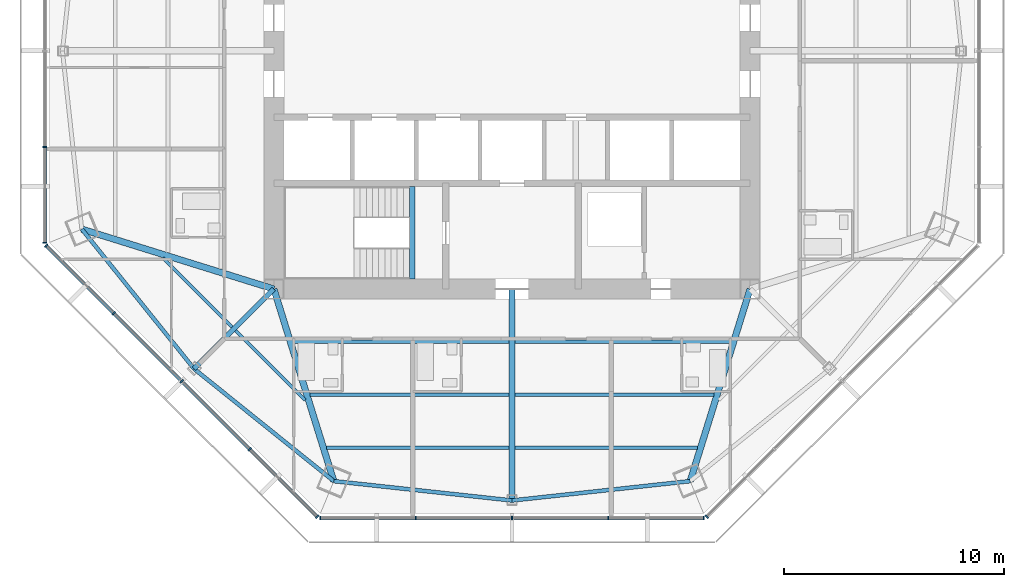
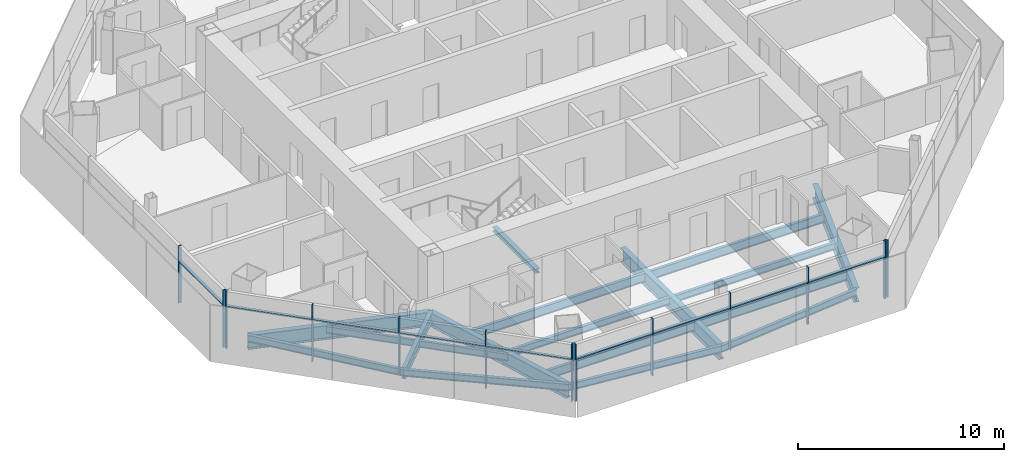
# One storey, part 2 of 14: 22 members, 18 beams, 4 elements without a shape of their own.
"""IFC4 building model written with IfcOpenShell, lengths in metres."""

from ifc_helpers import new_model, si_unit, direction, frame, origin, origin_2d, place, context, subcontext, project, spatial, rectangle, i_section, extrude, source, transform, mapped, material, material_profile, profile_set, type_object, type_shapes, element, aggregate, save


model = new_model("IFC4")

# Units and contexts
model_context = context("Model", 3, precision=1e-05, world=origin(), true_north=direction((0.0, 1.0)))
body_context = subcontext(model_context, "Body", "Model", "MODEL_VIEW")
ifc_project = project(units=[si_unit("LENGTHUNIT", "METRE"), si_unit("AREAUNIT", "SQUARE_METRE"), si_unit("VOLUMEUNIT", "CUBIC_METRE"), si_unit("PLANEANGLEUNIT", "RADIAN"), si_unit("MASSUNIT", "GRAM", prefix="KILO")], contexts=[model_context])

# Site, building, storey
site_placement = place(None, origin())
site = spatial("IfcSite", under=ifc_project, at=site_placement, CompositionType="ELEMENT")
building_placement = place(site_placement, origin())
building = spatial("IfcBuilding", under=site, at=building_placement, Name="Mashrafa Tower", CompositionType="ELEMENT")
storey_placement = place(building_placement, frame((0.0, 0.0, 241.39990234375)))
storey = spatial("IfcBuildingStorey", under=building, at=storey_placement, Name="L57", CompositionType="ELEMENT", Elevation=241.39990234375)

# Beams
ifc_material_1 = material(Name="Steel ASTM A992", Category="steel")
ifc_material_profile_1 = material_profile(ifc_material_1, i_section(OverallWidth=0.140380859375, OverallDepth=0.40380859375, WebThickness=0.007080078125, FlangeThickness=0.01123046875, FilletRadius=0.01025390625, at=origin_2d()), Name="W16X31")
ifc_profile_set_1 = profile_set([ifc_material_profile_1], Name="Steel ASTM A992")
beam_type_1 = type_object("IfcBeamType", Name="Beam W16X31", PredefinedType="BEAM", material=ifc_profile_set_1)
for number, where, z_axis, x_axis, name in (
    (1, (-12.690185546875, -12.52880859375, -0.40185546875), (-0.707106781187, 0.707106781187, 0.0), (-0.707106781187, -0.707106781187, 0.0), "Floor beam L57 008"),
    (2, (-9.382080078125, -15.8369140625, -0.40185546875), (-0.707106781187, 0.707106781187, 0.0), (-0.707106781187, -0.707106781187, 0.0), "Floor beam L57 012"),
):
    element("IfcBeam", number, at=place(storey_placement, frame(where, z_axis=z_axis, x_axis=x_axis)), inside=storey, type_object=beam_type_1, Name=name, PredefinedType="BEAM", context=body_context, shape_type="SweptSolid", body=[
        extrude(i_section(OverallWidth=0.140380859375, OverallDepth=0.40380859375, WebThickness=0.007080078125, FlangeThickness=0.01123046875, FilletRadius=0.01025390625, at=origin_2d()), origin(), (0.0, 0.0, 1.0), 4.4501953125),
    ])
ifc_material_2 = material(Name="Steel ASTM A992", Category="steel")
ifc_material_profile_2 = material_profile(ifc_material_2, i_section(OverallWidth=0.177734375, OverallDepth=0.406494140625, WebThickness=0.0078125, FlangeThickness=0.012939453125, FilletRadius=0.01025390625, at=origin_2d()), Name="W16X40")
ifc_profile_set_2 = profile_set([ifc_material_profile_2], Name="Steel ASTM A992")
beam_type_2 = type_object("IfcBeamType", Name="Beam W16X40", PredefinedType="BEAM", material=ifc_profile_set_2)
for number, where, z_axis, x_axis, name in (
    (3, (-0.14599609375, -15.595703125, -0.403076171875), (-1.0, 0.0, 0.0), (0.0, -1.0, 0.0), "Floor beam L57 015"),
    (4, (9.1513671875, -15.595703125, -0.403076171875), (-1.0, 0.0, 0.0), (0.0, -1.0, 0.0), "Floor beam L57 022"),
):
    element("IfcBeam", number, at=place(storey_placement, frame(where, z_axis=z_axis, x_axis=x_axis)), inside=storey, type_object=beam_type_2, Name=name, PredefinedType="BEAM", context=body_context, shape_type="SweptSolid", body=[
        extrude(i_section(OverallWidth=0.177734375, OverallDepth=0.406494140625, WebThickness=0.0078125, FlangeThickness=0.012939453125, FilletRadius=0.01025390625, at=origin_2d()), origin(), (0.0, 0.0, 1.0), 9.00537109375),
    ])
for number, where, z_axis, x_axis, name in (
    (5, (-19.51318359375, -8.082763671875, -0.403076171875), (0.626590173444, -0.779348929905, 0.0), (0.779348929905, 0.626590173444, 0.0), "Spandrel beam L57 050"),
    (6, (-14.4189453125, -14.4189453125, -0.403076171875), (0.779348929905, -0.626590173444, 0.0), (0.626590173444, 0.779348929905, 0.0), "Spandrel beam L57 052"),
):
    element("IfcBeam", number, at=place(storey_placement, frame(where, z_axis=z_axis, x_axis=x_axis)), inside=storey, type_object=beam_type_2, Name=name, PredefinedType="BEAM", context=body_context, shape_type="SweptSolid", body=[
        extrude(i_section(OverallWidth=0.177734375, OverallDepth=0.406494140625, WebThickness=0.0078125, FlangeThickness=0.012939453125, FilletRadius=0.01025390625, at=origin_2d()), origin(), (0.0, 0.0, 1.0), 8.130126953125),
    ])
for number, where, z_axis, x_axis, name in (
    (7, (-8.082763671875, -19.51318359375, -0.403076171875), (0.99414635634, -0.108041761262, 0.0), (0.108041761262, 0.99414635634, 0.0), "Spandrel beam L57 054"),
    (8, (0.0, -20.3916015625, -0.403076171875), (0.99414635634, 0.108041761262, 0.0), (-0.108041761262, 0.99414635634, 0.0), "Spandrel beam L57 056"),
):
    element("IfcBeam", number, at=place(storey_placement, frame(where, z_axis=z_axis, x_axis=x_axis)), inside=storey, type_object=beam_type_2, Name=name, PredefinedType="BEAM", context=body_context, shape_type="SweptSolid", body=[
        extrude(i_section(OverallWidth=0.177734375, OverallDepth=0.406494140625, WebThickness=0.0078125, FlangeThickness=0.012939453125, FilletRadius=0.01025390625, at=origin_2d()), origin(), (0.0, 0.0, 1.0), 8.13037109375),
    ])
ifc_material_3 = material(Name="Steel ASTM A992", Category="steel")
ifc_material_profile_3 = material_profile(ifc_material_3, i_section(OverallWidth=0.165771484375, OverallDepth=0.5283203125, WebThickness=0.009765625, FlangeThickness=0.013671875, FilletRadius=0.012939453125, at=origin_2d()), Name="W21X50")
ifc_profile_set_3 = profile_set([ifc_material_profile_3], Name="Steel ASTM A992")
beam_type_3 = type_object("IfcBeamType", Name="Beam W21X50", PredefinedType="BEAM", material=ifc_profile_set_3)
beam_1_placement = place(storey_placement, frame((-0.14599609375, -17.99365234375, -0.464111328125), z_axis=(-1.0, 0.0, 0.0), x_axis=(0.0, -1.0, 0.0)))
element("IfcBeam", 9, at=beam_1_placement, inside=storey, type_object=beam_type_3, Name="Floor beam L57 014", PredefinedType="BEAM", context=body_context, shape_type="SweptSolid", body=[
    extrude(i_section(OverallWidth=0.165771484375, OverallDepth=0.5283203125, WebThickness=0.009765625, FlangeThickness=0.013671875, FilletRadius=0.012939453125, at=origin_2d()), origin(), (0.0, 0.0, 1.0), 8.257568359375),
])
beam_2_placement = place(storey_placement, frame((-0.14599609375, -13.197998046875, -0.464111328125), z_axis=(-1.0, 0.0, 0.0), x_axis=(0.0, -1.0, 0.0)))
element("IfcBeam", 10, at=beam_2_placement, inside=storey, type_object=beam_type_3, Name="Floor beam L57 016", PredefinedType="BEAM", context=body_context, shape_type="SweptSolid", body=[
    extrude(i_section(OverallWidth=0.165771484375, OverallDepth=0.5283203125, WebThickness=0.009765625, FlangeThickness=0.013671875, FilletRadius=0.012939453125, at=origin_2d()), origin(), (0.0, 0.0, 1.0), 9.753173828125),
])
beam_3_placement = place(storey_placement, frame((8.403564453125, -17.99365234375, -0.464111328125), z_axis=(-1.0, 0.0, 0.0), x_axis=(0.0, -1.0, 0.0)))
element("IfcBeam", 11, at=beam_3_placement, inside=storey, type_object=beam_type_3, Name="Floor beam L57 020", PredefinedType="BEAM", context=body_context, shape_type="SweptSolid", body=[
    extrude(i_section(OverallWidth=0.165771484375, OverallDepth=0.5283203125, WebThickness=0.009765625, FlangeThickness=0.013671875, FilletRadius=0.012939453125, at=origin_2d()), origin(), (0.0, 0.0, 1.0), 8.257568359375),
])
beam_4_placement = place(storey_placement, frame((9.899169921875, -13.197998046875, -0.464111328125), z_axis=(-1.0, 0.0, 0.0), x_axis=(0.0, -1.0, 0.0)))
element("IfcBeam", 12, at=beam_4_placement, inside=storey, type_object=beam_type_3, Name="Floor beam L57 023", PredefinedType="BEAM", context=body_context, shape_type="SweptSolid", body=[
    extrude(i_section(OverallWidth=0.165771484375, OverallDepth=0.5283203125, WebThickness=0.009765625, FlangeThickness=0.013671875, FilletRadius=0.012939453125, at=origin_2d()), origin(), (0.0, 0.0, 1.0), 9.753173828125),
])
ifc_material_4 = material(Name="Steel ASTM A992", Category="steel")
ifc_material_profile_4 = material_profile(ifc_material_4, i_section(OverallWidth=0.227783203125, OverallDepth=0.60205078125, WebThickness=0.010498046875, FlangeThickness=0.014892578125, FilletRadius=0.012939453125, at=origin_2d()), Name="W24X68")
ifc_profile_set_4 = profile_set([ifc_material_profile_4], Name="Steel ASTM A992")
beam_type_4 = type_object("IfcBeamType", Name="Beam W24X68", PredefinedType="BEAM", material=ifc_profile_set_4)
beam_5_placement = place(storey_placement, frame((-10.800048828125, -10.800048828125, -0.5009765625), z_axis=(-0.707106781187, -0.707106781187, 0.0), x_axis=(0.707106781187, -0.707106781187, 0.0)))
element("IfcBeam", 13, at=beam_5_placement, inside=storey, type_object=beam_type_4, Name="Radial girder L57 034", PredefinedType="BEAM", context=body_context, shape_type="SweptSolid", body=[
    extrude(i_section(OverallWidth=0.227783203125, OverallDepth=0.60205078125, WebThickness=0.010498046875, FlangeThickness=0.014892578125, FilletRadius=0.012939453125, at=origin_2d()), origin(), (0.0, 0.0, 1.0), 5.117919921875),
])
ifc_material_5 = material(Name="Steel ASTM A992", Category="steel")
ifc_material_profile_5 = material_profile(ifc_material_5, i_section(OverallWidth=0.2919921875, OverallDepth=0.8408203125, WebThickness=0.0146484375, FlangeThickness=0.021728515625, FilletRadius=0.017333984375, at=origin_2d()), Name="W33X130")
ifc_profile_set_5 = profile_set([ifc_material_profile_5], Name="Steel ASTM A992")
beam_type_5 = type_object("IfcBeamType", Name="Beam W33X130", PredefinedType="BEAM", material=ifc_profile_set_5)
for number, where, z_axis, x_axis, name in (
    (14, (-10.800048828125, -10.800048828125, -0.620361328125), (-0.954653543393, 0.297719015326, 0.0), (-0.297719015326, -0.954653543393, 0.0), "Radial girder L57 033"),
    (15, (-10.800048828125, -10.800048828125, -0.620361328125), (0.297719015326, -0.954653543393, 0.0), (0.954653543393, 0.297719015326, 0.0), "Radial girder L57 035"),
    (16, (10.800048828125, -10.800048828125, -0.620361328125), (-0.297719015326, -0.954653543393, 0.0), (0.954653543393, -0.297719015326, 0.0), "Radial girder L57 042"),
):
    element("IfcBeam", number, at=place(storey_placement, frame(where, z_axis=z_axis, x_axis=x_axis)), inside=storey, type_object=beam_type_5, Name=name, PredefinedType="BEAM", context=body_context, shape_type="SweptSolid", body=[
        extrude(i_section(OverallWidth=0.2919921875, OverallDepth=0.8408203125, WebThickness=0.0146484375, FlangeThickness=0.021728515625, FilletRadius=0.017333984375, at=origin_2d()), origin(), (0.0, 0.0, 1.0), 9.126953125),
    ])
ifc_material_6 = material(Name="Steel ASTM A992", Category="steel")
ifc_material_profile_6 = material_profile(ifc_material_6, i_section(OverallWidth=0.2919921875, OverallDepth=0.8583984375, WebThickness=0.01708984375, FlangeThickness=0.031005859375, FilletRadius=0.017822265625, at=origin_2d()), Name="W33X169")
ifc_profile_set_6 = profile_set([ifc_material_profile_6], Name="Steel ASTM A992")
beam_type_6 = type_object("IfcBeamType", Name="Beam W33X169", PredefinedType="BEAM", material=ifc_profile_set_6)
beam_6_placement = place(storey_placement, frame((0.0, -10.800048828125, -0.629150390625), z_axis=(0.0, -1.0, 0.0), x_axis=(1.0, 0.0, 0.0)))
element("IfcBeam", 17, at=beam_6_placement, inside=storey, type_object=beam_type_6, Name="Radial girder L57 040", PredefinedType="BEAM", context=body_context, shape_type="SweptSolid", body=[
    extrude(i_section(OverallWidth=0.2919921875, OverallDepth=0.8583984375, WebThickness=0.01708984375, FlangeThickness=0.031005859375, FilletRadius=0.017822265625, at=origin_2d()), origin(), (0.0, 0.0, 1.0), 9.591552734375),
])
ifc_material_7 = material(Name="Steel ASTM A992", Category="steel")
ifc_material_profile_7 = material_profile(ifc_material_7, i_section(OverallWidth=0.25390625, OverallDepth=0.25390625, WebThickness=0.008544921875, FlangeThickness=0.01416015625, FilletRadius=0.010009765625, at=origin_2d()), Name="W10X49")
ifc_profile_set_7 = profile_set([ifc_material_profile_7], Name="Steel ASTM A992")
beam_type_7 = type_object("IfcBeamType", Name="Hoistway beam W10X49", PredefinedType="BEAM", material=ifc_profile_set_7)
beam_7_placement = place(storey_placement, frame((-4.530029296875, -10.35009765625, -0.326904296875), z_axis=(0.0, 1.0, 0.0), x_axis=(-1.0, 0.0, 0.0)))
element("IfcBeam", 18, at=beam_7_placement, inside=storey, type_object=beam_type_7, Name="Stair S3 landing beam L57", PredefinedType="BEAM", context=body_context, shape_type="SweptSolid", body=[
    extrude(i_section(OverallWidth=0.25390625, OverallDepth=0.25390625, WebThickness=0.008544921875, FlangeThickness=0.01416015625, FilletRadius=0.010009765625, at=origin_2d()), origin(), (0.0, 0.0, 1.0), 4.2001953125),
])

# Curtain wall, members
ifc_material_8 = material(Name="Unitised aluminium curtain wall", Category="aluminium")
curtain_wall_type = type_object("IfcCurtainWallType", Name="Apartment curtain wall, zone 3 CW-C 180 deep", PredefinedType="NOTDEFINED", material=ifc_material_8)
curtain_wall_1_placement = place(storey_placement, origin())
curtain_wall_1 = element("IfcCurtainWall", 19, at=curtain_wall_1_placement, inside=storey, type_object=curtain_wall_type, Name="Apartment curtain wall, zone 3 L57 west", PredefinedType="NOTDEFINED")
ifc_material_9 = material(Name="Extruded aluminium mullion", Category="aluminium")
ifc_material_profile_8 = material_profile(ifc_material_9, rectangle(XDim=0.179931640625, YDim=0.06005859375, at=origin_2d()), Name="Mullion 60x180")
ifc_profile_set_8 = profile_set([ifc_material_profile_8], Name="Extruded aluminium mullion")
member_type_1 = type_object("IfcMemberType", Name="Mullion CW-C 60 x 180", PredefinedType="MULLION", material=ifc_profile_set_8)
shared_shape_1 = source(origin(), body_context, "Body", "SweptSolid", [
    extrude(rectangle(XDim=0.179931640625, YDim=0.06005859375, at=origin_2d()), origin(), (0.0, 0.0, 1.0), 3.400146484375),
])
type_shapes(member_type_1, [shared_shape_1])
member_1_placement = place(storey_placement, frame((-21.185791015625, -4.364013671875, 0.0), z_axis=(0.0, 0.0, 1.0), x_axis=(1.0, 0.0, 0.0)))
member_1 = element("IfcMember", 20, at=member_1_placement, type_object=member_type_1, Name="CW-C mullion 4", PredefinedType="MULLION", context=body_context, shape_type="MappedRepresentation", body=[
    mapped(shared_shape_1, transform((0.0, 0.0, 0.0))),
])
member_2_placement = place(storey_placement, frame((-21.185791015625, -8.6982421875, 0.0), z_axis=(0.0, 0.0, 1.0), x_axis=(1.0, 0.0, 0.0)))
member_2 = element("IfcMember", 21, at=member_2_placement, type_object=member_type_1, Name="CW-C mullion 5", PredefinedType="MULLION", context=body_context, shape_type="MappedRepresentation", body=[
    mapped(shared_shape_1, transform((0.0, 0.0, 0.0))),
])

curtain_wall_2_placement = place(storey_placement, origin())
curtain_wall_2 = element("IfcCurtainWall", 22, at=curtain_wall_2_placement, inside=storey, type_object=curtain_wall_type, Name="Apartment curtain wall, zone 3 L57 south-west", PredefinedType="NOTDEFINED")
member_3_placement = place(storey_placement, frame((-21.131103515625, -8.830078125, 0.0), z_axis=(0.0, 0.0, 1.0), x_axis=(0.707106781187, 0.707106781187, 0.0)))
member_3 = element("IfcMember", 23, at=member_3_placement, type_object=member_type_1, Name="CW-C mullion 1", PredefinedType="MULLION", context=body_context, shape_type="MappedRepresentation", body=[
    mapped(shared_shape_1, transform((0.0, 0.0, 0.0))),
])
member_4_placement = place(storey_placement, frame((-18.066650390625, -11.894775390625, 0.0), z_axis=(0.0, 0.0, 1.0), x_axis=(0.707106781187, 0.707106781187, 0.0)))
member_4 = element("IfcMember", 24, at=member_4_placement, type_object=member_type_1, Name="CW-C mullion 2", PredefinedType="MULLION", context=body_context, shape_type="MappedRepresentation", body=[
    mapped(shared_shape_1, transform((0.0, 0.0, 0.0))),
])
member_5_placement = place(storey_placement, frame((-14.980712890625, -14.980712890625, 0.0), z_axis=(0.0, 0.0, 1.0), x_axis=(0.707106781187, 0.707106781187, 0.0)))
member_5 = element("IfcMember", 25, at=member_5_placement, type_object=member_type_1, Name="CW-C mullion 3", PredefinedType="MULLION", context=body_context, shape_type="MappedRepresentation", body=[
    mapped(shared_shape_1, transform((0.0, 0.0, 0.0))),
])
member_6_placement = place(storey_placement, frame((-11.894775390625, -18.066650390625, 0.0), z_axis=(0.0, 0.0, 1.0), x_axis=(0.707106781187, 0.707106781187, 0.0)))
member_6 = element("IfcMember", 26, at=member_6_placement, type_object=member_type_1, Name="CW-C mullion 4", PredefinedType="MULLION", context=body_context, shape_type="MappedRepresentation", body=[
    mapped(shared_shape_1, transform((0.0, 0.0, 0.0))),
])
member_7_placement = place(storey_placement, frame((-8.830078125, -21.131103515625, 0.0), z_axis=(0.0, 0.0, 1.0), x_axis=(0.707106781187, 0.707106781187, 0.0)))
member_7 = element("IfcMember", 27, at=member_7_placement, type_object=member_type_1, Name="CW-C mullion 5", PredefinedType="MULLION", context=body_context, shape_type="MappedRepresentation", body=[
    mapped(shared_shape_1, transform((0.0, 0.0, 0.0))),
])

curtain_wall_3_placement = place(storey_placement, origin())
curtain_wall_3 = element("IfcCurtainWall", 28, at=curtain_wall_3_placement, inside=storey, type_object=curtain_wall_type, Name="Apartment curtain wall, zone 3 L57 south", PredefinedType="NOTDEFINED")
member_8_placement = place(storey_placement, frame((-8.6982421875, -21.185791015625, 0.0), z_axis=(0.0, 0.0, 1.0), x_axis=(0.0, 1.0, 0.0)))
member_8 = element("IfcMember", 29, at=member_8_placement, type_object=member_type_1, Name="CW-C mullion 1", PredefinedType="MULLION", context=body_context, shape_type="MappedRepresentation", body=[
    mapped(shared_shape_1, transform((0.0, 0.0, 0.0))),
])
member_9_placement = place(storey_placement, frame((-4.364013671875, -21.185791015625, 0.0), z_axis=(0.0, 0.0, 1.0), x_axis=(0.0, 1.0, 0.0)))
member_9 = element("IfcMember", 30, at=member_9_placement, type_object=member_type_1, Name="CW-C mullion 2", PredefinedType="MULLION", context=body_context, shape_type="MappedRepresentation", body=[
    mapped(shared_shape_1, transform((0.0, 0.0, 0.0))),
])
member_10_placement = place(storey_placement, frame((0.0, -21.185791015625, 0.0), z_axis=(0.0, 0.0, 1.0), x_axis=(0.0, 1.0, 0.0)))
member_10 = element("IfcMember", 31, at=member_10_placement, type_object=member_type_1, Name="CW-C mullion 3", PredefinedType="MULLION", context=body_context, shape_type="MappedRepresentation", body=[
    mapped(shared_shape_1, transform((0.0, 0.0, 0.0))),
])
member_11_placement = place(storey_placement, frame((4.364013671875, -21.185791015625, 0.0), z_axis=(0.0, 0.0, 1.0), x_axis=(0.0, 1.0, 0.0)))
member_11 = element("IfcMember", 32, at=member_11_placement, type_object=member_type_1, Name="CW-C mullion 4", PredefinedType="MULLION", context=body_context, shape_type="MappedRepresentation", body=[
    mapped(shared_shape_1, transform((0.0, 0.0, 0.0))),
])
member_12_placement = place(storey_placement, frame((8.6982421875, -21.185791015625, 0.0), z_axis=(0.0, 0.0, 1.0), x_axis=(0.0, 1.0, 0.0)))
member_12 = element("IfcMember", 33, at=member_12_placement, type_object=member_type_1, Name="CW-C mullion 5", PredefinedType="MULLION", context=body_context, shape_type="MappedRepresentation", body=[
    mapped(shared_shape_1, transform((0.0, 0.0, 0.0))),
])

# Curtain wall, member
curtain_wall_4_placement = place(storey_placement, origin())
curtain_wall_4 = element("IfcCurtainWall", 34, at=curtain_wall_4_placement, inside=storey, type_object=curtain_wall_type, Name="Apartment curtain wall, zone 3 L57 south-east", PredefinedType="NOTDEFINED")
member_13_placement = place(storey_placement, frame((8.830078125, -21.131103515625, 0.0), z_axis=(0.0, 0.0, 1.0), x_axis=(-0.707106781187, 0.707106781187, 0.0)))
member_13 = element("IfcMember", 35, at=member_13_placement, type_object=member_type_1, Name="CW-C mullion 1", PredefinedType="MULLION", context=body_context, shape_type="MappedRepresentation", body=[
    mapped(shared_shape_1, transform((0.0, 0.0, 0.0))),
])
aggregate(curtain_wall_4, [member_13])

# Member
ifc_material_10 = material(Name="Extruded aluminium transom", Category="aluminium")
ifc_material_profile_9 = material_profile(ifc_material_10, rectangle(XDim=0.14404296875, YDim=0.074951171875, at=origin_2d()), Name="Transom 75x144")
ifc_profile_set_9 = profile_set([ifc_material_profile_9], Name="Extruded aluminium transom")
member_type_2 = type_object("IfcMemberType", Name="Transom CW-C 75 x 144", PredefinedType="MULLION", material=ifc_profile_set_9)
shared_shape_2 = source(origin(), body_context, "Body", "SweptSolid", [
    extrude(rectangle(XDim=0.14404296875, YDim=0.074951171875, at=origin_2d()), origin(), (0.0, 0.0, 1.0), 4.274169921875),
])
member_14_placement = place(storey_placement, frame((-21.185791015625, -4.39404296875, 2.5), z_axis=(0.0, -1.0, 0.0), x_axis=(1.0, 0.0, 0.0)))
member_14 = element("IfcMember", 36, at=member_14_placement, type_object=member_type_2, Name="CW-C transom 4", PredefinedType="MULLION", context=body_context, shape_type="MappedRepresentation", body=[
    mapped(shared_shape_2, transform((0.0, 0.0, 0.0))),
])

aggregate(curtain_wall_1, [member_1, member_2, member_14])

member_15_placement = place(storey_placement, frame((-21.110107421875, -8.851318359375, 2.5), z_axis=(0.707135340195, -0.707078221024, 0.0), x_axis=(0.707078221024, 0.707135340195, 0.0)))
member_15 = element("IfcMember", 37, at=member_15_placement, type_object=member_type_2, Name="CW-C transom 1", PredefinedType="MULLION", context=body_context, shape_type="MappedRepresentation", body=[
    mapped(shared_shape_2, transform((0.0, 0.0, 0.0))),
])

member_16_placement = place(storey_placement, frame((-11.87353515625, -18.087646484375, 2.5), z_axis=(0.707078221024, -0.707135340195, 0.0), x_axis=(0.707135340195, 0.707078221024, 0.0)))
member_16 = element("IfcMember", 38, at=member_16_placement, type_object=member_type_2, Name="CW-C transom 4", PredefinedType="MULLION", context=body_context, shape_type="MappedRepresentation", body=[
    mapped(shared_shape_2, transform((0.0, 0.0, 0.0))),
])

member_17_placement = place(storey_placement, frame((-8.668212890625, -21.185791015625, 2.5), z_axis=(1.0, 0.0, 0.0), x_axis=(0.0, 1.0, 0.0)))
member_17 = element("IfcMember", 39, at=member_17_placement, type_object=member_type_2, Name="CW-C transom 1", PredefinedType="MULLION", context=body_context, shape_type="MappedRepresentation", body=[
    mapped(shared_shape_2, transform((0.0, 0.0, 0.0))),
])

member_18_placement = place(storey_placement, frame((4.39404296875, -21.185791015625, 2.5), z_axis=(1.0, 0.0, 0.0), x_axis=(0.0, 1.0, 0.0)))
member_18 = element("IfcMember", 40, at=member_18_placement, type_object=member_type_2, Name="CW-C transom 4", PredefinedType="MULLION", context=body_context, shape_type="MappedRepresentation", body=[
    mapped(shared_shape_2, transform((0.0, 0.0, 0.0))),
])

shared_shape_3 = source(origin(), body_context, "Body", "SweptSolid", [
    extrude(rectangle(XDim=0.14404296875, YDim=0.074951171875, at=origin_2d()), origin(), (0.0, 0.0, 1.0), 4.303955078125),
])
member_19_placement = place(storey_placement, frame((-4.333984375, -21.185791015625, 2.5), z_axis=(1.0, 0.0, 0.0), x_axis=(0.0, 1.0, 0.0)))
member_19 = element("IfcMember", 41, at=member_19_placement, type_object=member_type_2, Name="CW-C transom 2", PredefinedType="MULLION", context=body_context, shape_type="MappedRepresentation", body=[
    mapped(shared_shape_3, transform((0.0, 0.0, 0.0))),
])

member_20_placement = place(storey_placement, frame((0.030029296875, -21.185791015625, 2.5), z_axis=(1.0, 0.0, 0.0), x_axis=(0.0, 1.0, 0.0)))
member_20 = element("IfcMember", 42, at=member_20_placement, type_object=member_type_2, Name="CW-C transom 3", PredefinedType="MULLION", context=body_context, shape_type="MappedRepresentation", body=[
    mapped(shared_shape_3, transform((0.0, 0.0, 0.0))),
])

aggregate(curtain_wall_3, [member_8, member_9, member_10, member_11, member_12, member_17, member_19, member_20, member_18])

shared_shape_4 = source(origin(), body_context, "Body", "SweptSolid", [
    extrude(rectangle(XDim=0.14404296875, YDim=0.074951171875, at=origin_2d()), origin(), (0.0, 0.0, 1.0), 4.30419921875),
])
type_shapes(member_type_2, [shared_shape_2, shared_shape_3, shared_shape_4])
member_21_placement = place(storey_placement, frame((-18.04541015625, -11.916015625, 2.5), z_axis=(0.707106781187, -0.707106781187, 0.0), x_axis=(0.707106781187, 0.707106781187, 0.0)))
member_21 = element("IfcMember", 43, at=member_21_placement, type_object=member_type_2, Name="CW-C transom 2", PredefinedType="MULLION", context=body_context, shape_type="MappedRepresentation", body=[
    mapped(shared_shape_4, transform((0.0, 0.0, 0.0))),
])

member_22_placement = place(storey_placement, frame((-14.95947265625, -15.001953125, 2.5), z_axis=(0.707106781187, -0.707106781187, 0.0), x_axis=(0.707106781187, 0.707106781187, 0.0)))
member_22 = element("IfcMember", 44, at=member_22_placement, type_object=member_type_2, Name="CW-C transom 3", PredefinedType="MULLION", context=body_context, shape_type="MappedRepresentation", body=[
    mapped(shared_shape_4, transform((0.0, 0.0, 0.0))),
])

aggregate(curtain_wall_2, [member_3, member_4, member_5, member_6, member_7, member_15, member_21, member_22, member_16])

save(model, "model.ifc")
